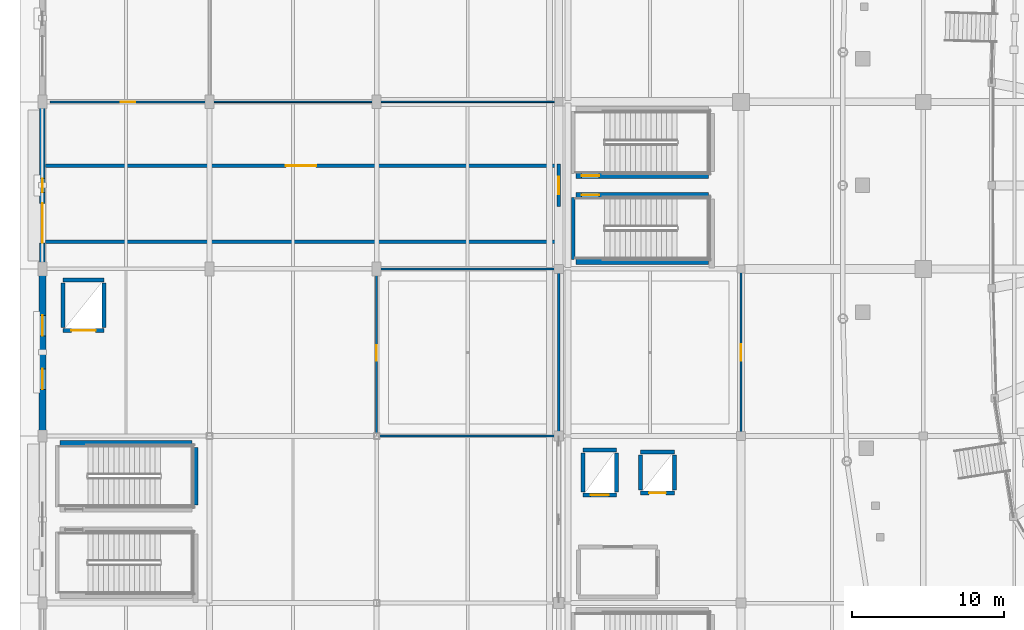
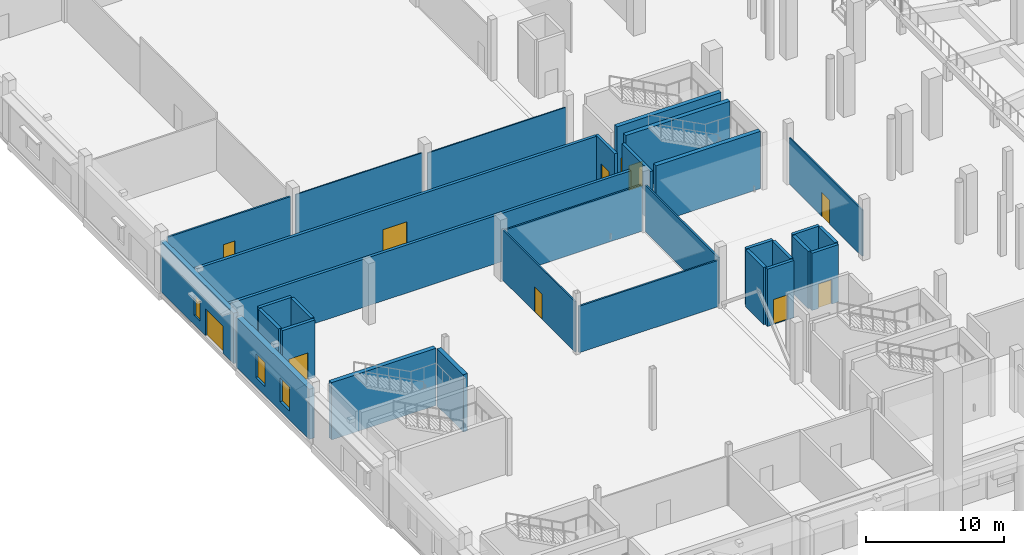
# One storey, part 57 of 120: 31 walls, 11 doors, 3 windows, 14 openings.
"""IFC4 building model written with IfcOpenShell, lengths in metres."""

from ifc_helpers import new_model, si_unit, direction, frame, frame_2d, origin, place, context, subcontext, project, spatial, rectangle, extrude, material, layer, layer_set, type_object, element, fill, save


model = new_model("IFC4")

# Units and contexts
model_context = context("Model", 3, precision=1e-05, world=origin(), true_north=direction((0.0, 1.0)))
body_context = subcontext(model_context, "Body", "Model", "MODEL_VIEW")
ifc_project = project(units=[si_unit("LENGTHUNIT", "METRE"), si_unit("AREAUNIT", "SQUARE_METRE"), si_unit("VOLUMEUNIT", "CUBIC_METRE"), si_unit("PLANEANGLEUNIT", "RADIAN"), si_unit("MASSUNIT", "GRAM", prefix="KILO")], contexts=[model_context])

# Site, building, storey
site_placement = place(None, origin())
site = spatial("IfcSite", under=ifc_project, at=site_placement, CompositionType="ELEMENT")
building_placement = place(site_placement, origin())
building = spatial("IfcBuilding", under=site, at=building_placement, Name="Luwafu Chhajja Arena", CompositionType="ELEMENT")
storey_placement = place(building_placement, origin())
storey = spatial("IfcBuildingStorey", under=building, at=storey_placement, Name="L00", CompositionType="ELEMENT", Elevation=0.0)

# Wall
ifc_material_1 = material(Name="Concrete blockwork masonry", Category="masonry")
ifc_layer_1 = layer(ifc_material_1, 0.239990234375, Name="Concrete blockwork masonry")
ifc_layer_set_1 = layer_set([ifc_layer_1], Name="Concrete blockwork masonry")
wall_type_1 = type_object("IfcWallType", Name="Compartment Masonry Partition 240", PredefinedType="PARTITIONING", material=ifc_layer_set_1)
wall_1_placement = place(storey_placement, frame((0.199951171875, 45.800048828125, 0.0), z_axis=(0.0, 0.0, 1.0), x_axis=(1.0, 0.0, 0.0)))
element("IfcWall", 1, at=wall_1_placement, inside=storey, type_object=wall_type_1, Name="L00 Protected Exit Passageway EI 120 Wall WXP-C5-S", PredefinedType="PARTITIONING", context=body_context, shape_type="SweptSolid", body=[
    extrude(rectangle(XDim=33.650146484375, YDim=0.239990234375, at=frame_2d((16.8251953125, 0.0))), origin(), (0.0, 0.0, 1.0), 4.25),
])

# Wall, opening, door
wall_2_placement = place(storey_placement, frame((0.199951171875, 50.800048828125, 0.0), z_axis=(0.0, 0.0, 1.0), x_axis=(1.0, 0.0, 0.0)))
wall_2 = element("IfcWall", 2, at=wall_2_placement, inside=storey, type_object=wall_type_1, Name="L00 Protected Exit Passageway EI 120 Wall WXP-C5-N", PredefinedType="PARTITIONING", context=body_context, shape_type="SweptSolid", body=[
    extrude(rectangle(XDim=33.650146484375, YDim=0.239990234375, at=frame_2d((16.8251953125, 0.0))), origin(), (0.0, 0.0, 1.0), 4.25),
])
opening_1_placement = place(wall_2_placement, frame((15.824951171875, 0.0, 0.0)))
opening_1 = element("IfcOpeningElement", 3, at=opening_1_placement, cuts=wall_2, Name="Opening DR-08", PredefinedType="OPENING", context=body_context, shape_type="SweptSolid", body=[
    extrude(rectangle(XDim=2.0, YDim=2.25, at=frame_2d((1.0, 1.125))), frame((0.0, 0.1298828125, 0.0), z_axis=(0.0, -1.0, 0.0), x_axis=(1.0, 0.0, 0.0)), (0.0, 0.0, 1.0), 0.260009765625),
])
ifc_material_2 = material(Name="Fire-rated hardwood double leaf", Category="wood")
door_type_1 = type_object("IfcDoorType", Name="DR-08", OperationType="DOUBLE_DOOR_SINGLE_SWING", PredefinedType="DOOR", material=ifc_material_2)
door_1_placement = place(opening_1_placement, origin())
door_1 = element("IfcDoor", 4, at=door_1_placement, inside=storey, type_object=door_type_1, Name="L00 Protected Exit Passageway Fire Door L00-D066", OperationType="DOUBLE_DOOR_SINGLE_SWING", OverallHeight=2.25, OverallWidth=2.0, PredefinedType="DOOR", context=body_context, shape_type="SweptSolid", body=[
    extrude(rectangle(XDim=2.0, YDim=2.25, at=frame_2d((1.0, 1.125))), frame((0.0, 0.02490234375, 0.0), z_axis=(0.0, -1.0, 0.0), x_axis=(1.0, 0.0, 0.0)), (0.0, 0.0, 1.0), 0.050048828125),
])
fill(opening_1, door_1)

wall_3_placement = place(storey_placement, frame((34.0, 48.10009765625, 0.0), z_axis=(0.0, 0.0, 1.0), x_axis=(0.0, 1.0, 0.0)))
wall_3 = element("IfcWall", 5, at=wall_3_placement, inside=storey, type_object=wall_type_1, Name="L00 Protected Exit Corridor Mouth Wall WXP-M-C5", PredefinedType="PARTITIONING", context=body_context, shape_type="SweptSolid", body=[
    extrude(rectangle(XDim=2.7998046875, YDim=0.239990234375, at=frame_2d((1.39990234375, 0.0))), origin(), (0.0, 0.0, 1.0), 4.25),
])
opening_2_placement = place(wall_3_placement, frame((0.824951171875, 0.0, 0.0)))
opening_2 = element("IfcOpeningElement", 6, at=opening_2_placement, cuts=wall_3, Name="Opening DR-06", PredefinedType="OPENING", context=body_context, shape_type="SweptSolid", body=[
    extrude(rectangle(XDim=1.14990234375, YDim=2.199951171875, at=frame_2d((0.574951171875, 1.10009765625))), frame((0.0, 0.1298828125, 0.0), z_axis=(0.0, -1.0, 0.0), x_axis=(1.0, 0.0, 0.0)), (0.0, 0.0, 1.0), 0.260009765625),
])
ifc_material_3 = material(Name="Fire-rated hardwood and steel core", Category="steel")
door_type_2 = type_object("IfcDoorType", Name="DR-06", OperationType="NOTDEFINED", PredefinedType="DOOR", material=ifc_material_3)
door_2_placement = place(opening_2_placement, origin())
door_2 = element("IfcDoor", 7, at=door_2_placement, inside=storey, type_object=door_type_2, Name="L00 Protected Exit Corridor Fire Door L00-D077", OperationType="SINGLE_SWING_LEFT", OverallHeight=2.199951171875, OverallWidth=1.14990234375, PredefinedType="DOOR", context=body_context, shape_type="SweptSolid", body=[
    extrude(rectangle(XDim=1.14990234375, YDim=2.199951171875, at=frame_2d((0.574951171875, 1.10009765625))), frame((0.0, 0.02490234375, 0.0), z_axis=(0.0, -1.0, 0.0), x_axis=(1.0, 0.0, 0.0)), (0.0, 0.0, 1.0), 0.050048828125),
])
fill(opening_2, door_2)

ifc_material_4 = material(Name="Lightweight blockwork partition", Category="masonry")
ifc_layer_2 = layer(ifc_material_4, 0.139892578125, Name="Lightweight blockwork partition")
ifc_layer_set_2 = layer_set([ifc_layer_2], Name="Lightweight blockwork partition")
wall_type_2 = type_object("IfcWallType", Name="Concourse Kiosk Partition 140", PredefinedType="PARTITIONING", material=ifc_layer_set_2)
wall_4_placement = place(storey_placement, frame((0.47998046875, 55.0, 0.0), z_axis=(0.0, 0.0, 1.0), x_axis=(1.0, 0.0, 0.0)))
wall_4 = element("IfcWall", 8, at=wall_4_placement, inside=storey, type_object=wall_type_2, Name="L00 Internal Partition 0145", PredefinedType="PARTITIONING", context=body_context, shape_type="SweptSolid", body=[
    extrude(rectangle(XDim=10.300048828125, YDim=0.139892578125, at=frame_2d((5.14990234375, 0.0))), origin(), (0.0, 0.0, 1.0), 4.437744140625),
])
opening_3_placement = place(wall_4_placement, frame((4.669921875, 0.0, 0.0)))
opening_3 = element("IfcOpeningElement", 9, at=opening_3_placement, cuts=wall_4, Name="Opening DR-22", PredefinedType="OPENING", context=body_context, shape_type="SweptSolid", body=[
    extrude(rectangle(XDim=0.9599609375, YDim=2.14990234375, at=frame_2d((0.47998046875, 1.074951171875))), frame((0.0, 0.079833984375, 0.0), z_axis=(0.0, -1.0, 0.0), x_axis=(1.0, 0.0, 0.0)), (0.0, 0.0, 1.0), 0.159912109375),
])
ifc_material_5 = material(Name="Hardwood flush office door", Category="wood")
door_type_3 = type_object("IfcDoorType", Name="DR-22", OperationType="NOTDEFINED", PredefinedType="DOOR", material=ifc_material_5)
door_3_placement = place(opening_3_placement, origin())
door_3 = element("IfcDoor", 10, at=door_3_placement, inside=storey, type_object=door_type_3, Name="L00 Interior Door L00-D030", OperationType="SINGLE_SWING_LEFT", OverallHeight=2.14990234375, OverallWidth=0.9599609375, PredefinedType="DOOR", context=body_context, shape_type="SweptSolid", body=[
    extrude(rectangle(XDim=0.9599609375, YDim=2.14990234375, at=frame_2d((0.47998046875, 1.074951171875))), frame((0.0, 0.02490234375, 0.0), z_axis=(0.0, -1.0, 0.0), x_axis=(1.0, 0.0, 0.0)), (0.0, 0.0, 1.0), 0.050048828125),
])
fill(opening_3, door_3)

# Walls
wall_5_placement = place(storey_placement, frame((22.159912109375, 33.0, 0.0), z_axis=(0.0, 0.0, 1.0), x_axis=(1.0, 0.0, 0.0)))
element("IfcWall", 11, at=wall_5_placement, inside=storey, type_object=wall_type_2, Name="L00 Internal Partition 0154", PredefinedType="PARTITIONING", context=body_context, shape_type="SweptSolid", body=[
    extrude(rectangle(XDim=11.6201171875, YDim=0.139892578125, at=frame_2d((5.81005859375, 0.0))), origin(), (0.0, 0.0, 1.0), 4.10009765625),
])
wall_6_placement = place(storey_placement, frame((22.219970703125, 44.0, 0.0), z_axis=(0.0, 0.0, 1.0), x_axis=(1.0, 0.0, 0.0)))
element("IfcWall", 12, at=wall_6_placement, inside=storey, type_object=wall_type_2, Name="L00 Internal Partition 0155", PredefinedType="PARTITIONING", context=body_context, shape_type="SweptSolid", body=[
    extrude(rectangle(XDim=11.56005859375, YDim=0.139892578125, at=frame_2d((5.780029296875, 0.0))), origin(), (0.0, 0.0, 1.0), 4.10009765625),
])
wall_7_placement = place(storey_placement, frame((34.0, 33.219970703125, 0.0), z_axis=(0.0, 0.0, 1.0), x_axis=(0.0, 1.0, 0.0)))
element("IfcWall", 13, at=wall_7_placement, inside=storey, type_object=wall_type_2, Name="L00 Internal Partition 0201", PredefinedType="PARTITIONING", context=body_context, shape_type="SweptSolid", body=[
    extrude(rectangle(XDim=10.56005859375, YDim=0.139892578125, at=frame_2d((5.280029296875, 0.0))), origin(), (0.0, 0.0, 1.0), 4.10009765625),
])
ifc_material_6 = material(Name="Gypsum plasterboard partition")
ifc_layer_3 = layer(ifc_material_6, 0.10009765625, Name="Gypsum plasterboard partition")
ifc_layer_set_3 = layer_set([ifc_layer_3], Name="Gypsum plasterboard partition")
wall_type_3 = type_object("IfcWallType", Name="Drywall Lining Partition 100", PredefinedType="PARTITIONING", material=ifc_layer_set_3)
wall_8_placement = place(storey_placement, frame((11.219970703125, 55.0, 0.0), z_axis=(0.0, 0.0, 1.0), x_axis=(1.0, 0.0, 0.0)))
element("IfcWall", 14, at=wall_8_placement, inside=storey, type_object=wall_type_3, Name="L00 Internal Partition 0142", PredefinedType="PARTITIONING", context=body_context, shape_type="SweptSolid", body=[
    extrude(rectangle(XDim=10.56005859375, YDim=0.10009765625, at=frame_2d((5.280029296875, 0.0))), origin(), (0.0, 0.0, 1.0), 4.437744140625),
])
wall_9_placement = place(storey_placement, frame((22.219970703125, 55.0, 0.0), z_axis=(0.0, 0.0, 1.0), x_axis=(1.0, 0.0, 0.0)))
element("IfcWall", 15, at=wall_9_placement, inside=storey, type_object=wall_type_3, Name="L00 Internal Partition 0144", PredefinedType="PARTITIONING", context=body_context, shape_type="SweptSolid", body=[
    extrude(rectangle(XDim=11.56005859375, YDim=0.10009765625, at=frame_2d((5.780029296875, 0.0))), origin(), (0.0, 0.0, 1.0), 4.25),
])

# Wall, opening, door
ifc_material_7 = material(Name="Acoustic metal-stud gypsum board")
ifc_layer_4 = layer(ifc_material_7, 0.1201171875, Name="Acoustic metal-stud gypsum board")
ifc_layer_set_4 = layer_set([ifc_layer_4], Name="Acoustic metal-stud gypsum board")
wall_type_4 = type_object("IfcWallType", Name="Internal Room Partition 120", PredefinedType="PARTITIONING", material=ifc_layer_set_4)
wall_10_placement = place(storey_placement, frame((22.0, 33.159912109375, 0.0), z_axis=(0.0, 0.0, 1.0), x_axis=(0.0, 1.0, 0.0)))
wall_10 = element("IfcWall", 16, at=wall_10_placement, inside=storey, type_object=wall_type_4, Name="L00 Internal Partition 0150", PredefinedType="PARTITIONING", context=body_context, shape_type="SweptSolid", body=[
    extrude(rectangle(XDim=10.6201171875, YDim=0.1201171875, at=frame_2d((5.31005859375, 0.0))), origin(), (0.0, 0.0, 1.0), 4.437744140625),
])
opening_4_placement = place(wall_10_placement, frame((4.7900390625, 0.0, 0.0)))
opening_4 = element("IfcOpeningElement", 17, at=opening_4_placement, cuts=wall_10, Name="Opening DR-24", PredefinedType="OPENING", context=body_context, shape_type="SweptSolid", body=[
    extrude(rectangle(XDim=1.0400390625, YDim=2.199951171875, at=frame_2d((0.52001953125, 1.10009765625))), frame((0.0, 0.070068359375, 0.0), z_axis=(0.0, -1.0, 0.0), x_axis=(1.0, 0.0, 0.0)), (0.0, 0.0, 1.0), 0.14013671875),
])
ifc_material_8 = material(Name="Hardwood flush classroom door", Category="wood")
door_type_4 = type_object("IfcDoorType", Name="DR-24", OperationType="NOTDEFINED", PredefinedType="DOOR", material=ifc_material_8)
door_4_placement = place(opening_4_placement, origin())
door_4 = element("IfcDoor", 18, at=door_4_placement, inside=storey, type_object=door_type_4, Name="L00 Interior Door L00-D033", OperationType="SINGLE_SWING_RIGHT", OverallHeight=2.199951171875, OverallWidth=1.0400390625, PredefinedType="DOOR", context=body_context, shape_type="SweptSolid", body=[
    extrude(rectangle(XDim=1.0400390625, YDim=2.199951171875, at=frame_2d((0.52001953125, 1.10009765625))), frame((0.0, 0.02490234375, 0.0), z_axis=(0.0, -1.0, 0.0), x_axis=(1.0, 0.0, 0.0)), (0.0, 0.0, 1.0), 0.050048828125),
])
fill(opening_4, door_4)

wall_11_placement = place(storey_placement, frame((46.0, 33.219970703125, 0.0), z_axis=(0.0, 0.0, 1.0), x_axis=(0.0, 1.0, 0.0)))
wall_11 = element("IfcWall", 19, at=wall_11_placement, inside=storey, type_object=wall_type_4, Name="L00 Internal Partition 0157", PredefinedType="PARTITIONING", context=body_context, shape_type="SweptSolid", body=[
    extrude(rectangle(XDim=10.56005859375, YDim=0.1201171875, at=frame_2d((5.280029296875, 0.0))), origin(), (0.0, 0.0, 1.0), 4.10009765625),
])
opening_5_placement = place(wall_11_placement, frame((4.72998046875, 0.0, 0.0)))
opening_5 = element("IfcOpeningElement", 20, at=opening_5_placement, cuts=wall_11, Name="Opening DR-20", PredefinedType="OPENING", context=body_context, shape_type="SweptSolid", body=[
    extrude(rectangle(XDim=1.10009765625, YDim=2.10009765625, at=frame_2d((0.550048828125, 1.050048828125))), frame((0.0, 0.070068359375, 0.0), z_axis=(0.0, -1.0, 0.0), x_axis=(1.0, 0.0, 0.0)), (0.0, 0.0, 1.0), 0.14013671875),
])
ifc_material_9 = material(Name="Hygienic laminate single leaf")
door_type_5 = type_object("IfcDoorType", Name="DR-20", OperationType="NOTDEFINED", PredefinedType="DOOR", material=ifc_material_9)
door_5_placement = place(opening_5_placement, origin())
door_5 = element("IfcDoor", 21, at=door_5_placement, inside=storey, type_object=door_type_5, Name="L00 Interior Door L00-D038", OperationType="SINGLE_SWING_RIGHT", OverallHeight=2.10009765625, OverallWidth=1.10009765625, PredefinedType="DOOR", context=body_context, shape_type="SweptSolid", body=[
    extrude(rectangle(XDim=1.10009765625, YDim=2.10009765625, at=frame_2d((0.550048828125, 1.050048828125))), frame((0.0, 0.02490234375, 0.0), z_axis=(0.0, -1.0, 0.0), x_axis=(1.0, 0.0, 0.0)), (0.0, 0.0, 1.0), 0.050048828125),
])
fill(opening_5, door_5)

ifc_material_10 = material(Name="Concrete C35/45", Category="concrete")
ifc_layer_5 = layer(ifc_material_10, 0.260009765625, Name="Concrete C35/45")
ifc_layer_set_5 = layer_set([ifc_layer_5], Name="Concrete C35/45")
wall_type_5 = type_object("IfcWallType", Name="Lift and Riser Shaft Wall 260", PredefinedType="SOLIDWALL", material=ifc_layer_set_5)
wall_12_placement = place(storey_placement, frame((35.590087890625, 29.114990234375, 0.0), z_axis=(0.0, 0.0, 1.0), x_axis=(1.0, 0.0, 0.0)))
wall_12 = element("IfcWall", 22, at=wall_12_placement, inside=storey, type_object=wall_type_5, Name="L00 Lift LF-01 Shaft Wall S", PredefinedType="SOLIDWALL", context=body_context, shape_type="SweptSolid", body=[
    extrude(rectangle(XDim=2.219970703125, YDim=0.260009765625, at=frame_2d((1.10986328125, 0.0))), origin(), (0.0, 0.0, 1.0), 5.06005859375),
])
opening_6_placement = place(wall_12_placement, frame((0.510009765625, 0.0, 0.0)))
opening_6 = element("IfcOpeningElement", 23, at=opening_6_placement, cuts=wall_12, Name="Opening LD-02", PredefinedType="OPENING", context=body_context, shape_type="SweptSolid", body=[
    extrude(rectangle(XDim=1.199951171875, YDim=2.199951171875, at=frame_2d((0.60009765625, 1.10009765625))), frame((0.0, 0.139892578125, 0.0), z_axis=(0.0, -1.0, 0.0), x_axis=(1.0, 0.0, 0.0)), (0.0, 0.0, 1.0), 0.280029296875),
])
ifc_material_11 = material(Name="Brushed stainless steel sliding leaves", Category="steel")
door_type_6 = type_object("IfcDoorType", Name="LD-02", OperationType="SLIDING_TO_LEFT", PredefinedType="DOOR", material=ifc_material_11)
door_6_placement = place(opening_6_placement, origin())
door_6 = element("IfcDoor", 24, at=door_6_placement, inside=storey, type_object=door_type_6, Name="L00 Lift LF-01 Landing Door L00-LD01", OperationType="SLIDING_TO_LEFT", OverallHeight=2.199951171875, OverallWidth=1.199951171875, PredefinedType="DOOR", context=body_context, shape_type="SweptSolid", body=[
    extrude(rectangle(XDim=1.199951171875, YDim=2.199951171875, at=frame_2d((0.60009765625, 1.10009765625))), frame((0.0, 0.02490234375, 0.0), z_axis=(0.0, -1.0, 0.0), x_axis=(1.0, 0.0, 0.0)), (0.0, 0.0, 1.0), 0.050048828125),
])
fill(opening_6, door_6)

# Walls
wall_13_placement = place(storey_placement, frame((35.590087890625, 32.0849609375, 0.0), z_axis=(0.0, 0.0, 1.0), x_axis=(1.0, 0.0, 0.0)))
element("IfcWall", 25, at=wall_13_placement, inside=storey, type_object=wall_type_5, Name="L00 Lift LF-01 Shaft Wall N", PredefinedType="SOLIDWALL", context=body_context, shape_type="SweptSolid", body=[
    extrude(rectangle(XDim=2.219970703125, YDim=0.260009765625, at=frame_2d((1.10986328125, 0.0))), origin(), (0.0, 0.0, 1.0), 5.06005859375),
])
for number, where, z_axis, x_axis, name in (
    (26, (35.590087890625, 29.31494140625, 0.0), (0.0, 0.0, 1.0), (0.0, 1.0, 0.0), "L00 Lift LF-01 Shaft Wall W"),
    (27, (37.81005859375, 29.31494140625, 0.0), (0.0, 0.0, 1.0), (0.0, 1.0, 0.0), "L00 Lift LF-01 Shaft Wall E"),
):
    element("IfcWall", number, at=place(storey_placement, frame(where, z_axis=z_axis, x_axis=x_axis)), inside=storey, type_object=wall_type_5, Name=name, PredefinedType="SOLIDWALL", context=body_context, shape_type="SweptSolid", body=[
        extrude(rectangle(XDim=2.570068359375, YDim=0.260009765625, at=frame_2d((1.28515625, 0.0))), origin(), (0.0, 0.0, 1.0), 5.06005859375),
    ])

# Wall, opening, door
wall_14_placement = place(storey_placement, frame((39.389892578125, 29.239990234375, 0.0), z_axis=(0.0, 0.0, 1.0), x_axis=(1.0, 0.0, 0.0)))
wall_14 = element("IfcWall", 28, at=wall_14_placement, inside=storey, type_object=wall_type_5, Name="L00 Lift LF-05 Shaft Wall S", PredefinedType="SOLIDWALL", context=body_context, shape_type="SweptSolid", body=[
    extrude(rectangle(XDim=2.22021484375, YDim=0.260009765625, at=frame_2d((1.110107421875, 0.0))), origin(), (0.0, 0.0, 1.0), 5.06005859375),
])
opening_7_placement = place(wall_14_placement, frame((0.56005859375, 0.0, 0.0)))
opening_7 = element("IfcOpeningElement", 29, at=opening_7_placement, cuts=wall_14, Name="Opening LD-01", PredefinedType="OPENING", context=body_context, shape_type="SweptSolid", body=[
    extrude(rectangle(XDim=1.10009765625, YDim=2.14990234375, at=frame_2d((0.550048828125, 1.074951171875))), frame((0.0, 0.139892578125, 0.0), z_axis=(0.0, -1.0, 0.0), x_axis=(1.0, 0.0, 0.0)), (0.0, 0.0, 1.0), 0.280029296875),
])
door_type_7 = type_object("IfcDoorType", Name="LD-01", OperationType="SLIDING_TO_LEFT", PredefinedType="DOOR", material=ifc_material_11)
door_7_placement = place(opening_7_placement, origin())
door_7 = element("IfcDoor", 30, at=door_7_placement, inside=storey, type_object=door_type_7, Name="L00 Lift LF-05 Landing Door L00-LD02", OperationType="SLIDING_TO_LEFT", OverallHeight=2.14990234375, OverallWidth=1.10009765625, PredefinedType="DOOR", context=body_context, shape_type="SweptSolid", body=[
    extrude(rectangle(XDim=1.10009765625, YDim=2.14990234375, at=frame_2d((0.550048828125, 1.074951171875))), frame((0.0, 0.02490234375, 0.0), z_axis=(0.0, -1.0, 0.0), x_axis=(1.0, 0.0, 0.0)), (0.0, 0.0, 1.0), 0.050048828125),
])
fill(opening_7, door_7)

# Walls
wall_15_placement = place(storey_placement, frame((39.389892578125, 31.9599609375, 0.0), z_axis=(0.0, 0.0, 1.0), x_axis=(1.0, 0.0, 0.0)))
element("IfcWall", 31, at=wall_15_placement, inside=storey, type_object=wall_type_5, Name="L00 Lift LF-05 Shaft Wall N", PredefinedType="SOLIDWALL", context=body_context, shape_type="SweptSolid", body=[
    extrude(rectangle(XDim=2.22021484375, YDim=0.260009765625, at=frame_2d((1.110107421875, 0.0))), origin(), (0.0, 0.0, 1.0), 5.06005859375),
])
for number, where, z_axis, x_axis, name in (
    (32, (39.389892578125, 29.43994140625, 0.0), (0.0, 0.0, 1.0), (0.0, 1.0, 0.0), "L00 Lift LF-05 Shaft Wall W"),
    (33, (41.610107421875, 29.43994140625, 0.0), (0.0, 0.0, 1.0), (0.0, 1.0, 0.0), "L00 Lift LF-05 Shaft Wall E"),
):
    element("IfcWall", number, at=place(storey_placement, frame(where, z_axis=z_axis, x_axis=x_axis)), inside=storey, type_object=wall_type_5, Name=name, PredefinedType="SOLIDWALL", context=body_context, shape_type="SweptSolid", body=[
        extrude(rectangle(XDim=2.320068359375, YDim=0.260009765625, at=frame_2d((1.16015625, 0.0))), origin(), (0.0, 0.0, 1.0), 5.06005859375),
    ])

# Wall, opening, door
wall_16_placement = place(storey_placement, frame((1.340087890625, 39.93994140625, 0.0), z_axis=(0.0, 0.0, 1.0), x_axis=(1.0, 0.0, 0.0)))
wall_16 = element("IfcWall", 34, at=wall_16_placement, inside=storey, type_object=wall_type_5, Name="L00 Lift LF-11 Shaft Wall S", PredefinedType="SOLIDWALL", context=body_context, shape_type="SweptSolid", body=[
    extrude(rectangle(XDim=2.719970703125, YDim=0.260009765625, at=frame_2d((1.35986328125, 0.0))), origin(), (0.0, 0.0, 1.0), 5.06005859375),
])
opening_8_placement = place(wall_16_placement, frame((0.56005859375, 0.0, 0.0)))
opening_8 = element("IfcOpeningElement", 35, at=opening_8_placement, cuts=wall_16, Name="Opening LD-03", PredefinedType="OPENING", context=body_context, shape_type="SweptSolid", body=[
    extrude(rectangle(XDim=1.60009765625, YDim=2.35009765625, at=frame_2d((0.800048828125, 1.175048828125))), frame((0.0, 0.139892578125, 0.0), z_axis=(0.0, -1.0, 0.0), x_axis=(1.0, 0.0, 0.0)), (0.0, 0.0, 1.0), 0.280029296875),
])
door_type_8 = type_object("IfcDoorType", Name="LD-03", OperationType="DOUBLE_DOOR_SLIDING", PredefinedType="DOOR", material=ifc_material_11)
door_8_placement = place(opening_8_placement, origin())
door_8 = element("IfcDoor", 36, at=door_8_placement, inside=storey, type_object=door_type_8, Name="L00 Lift LF-11 Landing Door L00-LD11", OperationType="DOUBLE_DOOR_SLIDING", OverallHeight=2.35009765625, OverallWidth=1.60009765625, PredefinedType="DOOR", context=body_context, shape_type="SweptSolid", body=[
    extrude(rectangle(XDim=1.60009765625, YDim=2.35009765625, at=frame_2d((0.800048828125, 1.175048828125))), frame((0.0, 0.02490234375, 0.0), z_axis=(0.0, -1.0, 0.0), x_axis=(1.0, 0.0, 0.0)), (0.0, 0.0, 1.0), 0.050048828125),
])
fill(opening_8, door_8)

# Walls
wall_17_placement = place(storey_placement, frame((1.340087890625, 43.260009765625, 0.0), z_axis=(0.0, 0.0, 1.0), x_axis=(1.0, 0.0, 0.0)))
element("IfcWall", 37, at=wall_17_placement, inside=storey, type_object=wall_type_5, Name="L00 Lift LF-11 Shaft Wall N", PredefinedType="SOLIDWALL", context=body_context, shape_type="SweptSolid", body=[
    extrude(rectangle(XDim=2.719970703125, YDim=0.260009765625, at=frame_2d((1.35986328125, 0.0))), origin(), (0.0, 0.0, 1.0), 5.06005859375),
])
for number, where, z_axis, x_axis, name in (
    (38, (1.340087890625, 40.139892578125, 0.0), (0.0, 0.0, 1.0), (0.0, 1.0, 0.0), "L00 Lift LF-11 Shaft Wall W"),
    (39, (4.06005859375, 40.139892578125, 0.0), (0.0, 0.0, 1.0), (0.0, 1.0, 0.0), "L00 Lift LF-11 Shaft Wall E"),
):
    element("IfcWall", number, at=place(storey_placement, frame(where, z_axis=z_axis, x_axis=x_axis)), inside=storey, type_object=wall_type_5, Name=name, PredefinedType="SOLIDWALL", context=body_context, shape_type="SweptSolid", body=[
        extrude(rectangle(XDim=2.920166015625, YDim=0.260009765625, at=frame_2d((1.4599609375, 0.0))), origin(), (0.0, 0.0, 1.0), 5.06005859375),
    ])
ifc_material_12 = material(Name="Concrete C40/50", Category="concrete")
ifc_layer_6 = layer(ifc_material_12, 0.35009765625, Name="Concrete C40/50")
ifc_layer_set_6 = layer_set([ifc_layer_6], Name="Concrete C40/50")
wall_type_6 = type_object("IfcWallType", Name="RC Core Shear Wall 350", PredefinedType="SOLIDWALL", material=ifc_layer_set_6)
wall_18_placement = place(storey_placement, frame((35.14990234375, 44.47802734375, 0.0), z_axis=(0.0, 0.0, 1.0), x_axis=(1.0, 0.0, 0.0)))
element("IfcWall", 40, at=wall_18_placement, inside=storey, type_object=wall_type_6, Name="L00 Stair ST-09 Core Shear Wall S", PredefinedType="SOLIDWALL", context=body_context, shape_type="SweptSolid", body=[
    extrude(rectangle(XDim=8.7001953125, YDim=0.35009765625, at=frame_2d((4.35009765625, 0.0))), origin(), (0.0, 0.0, 1.0), 5.06005859375),
])

# Wall, opening, door
wall_19_placement = place(storey_placement, frame((35.14990234375, 48.862060546875, 0.0), z_axis=(0.0, 0.0, 1.0), x_axis=(1.0, 0.0, 0.0)))
wall_19 = element("IfcWall", 41, at=wall_19_placement, inside=storey, type_object=wall_type_6, Name="L00 Stair ST-09 Core Shear Wall N", PredefinedType="SOLIDWALL", context=body_context, shape_type="SweptSolid", body=[
    extrude(rectangle(XDim=8.7001953125, YDim=0.35009765625, at=frame_2d((4.35009765625, 0.0))), origin(), (0.0, 0.0, 1.0), 5.06005859375),
])
opening_9_placement = place(wall_19_placement, frame((0.35009765625, 0.0, 0.0)))
opening_9 = element("IfcOpeningElement", 42, at=opening_9_placement, cuts=wall_19, Name="Opening DR-06", PredefinedType="OPENING", context=body_context, shape_type="SweptSolid", body=[
    extrude(rectangle(XDim=1.14990234375, YDim=2.199951171875, at=frame_2d((0.574951171875, 1.10009765625))), frame((0.0, 0.18505859375, 0.0), z_axis=(0.0, -1.0, 0.0), x_axis=(1.0, 0.0, 0.0)), (0.0, 0.0, 1.0), 0.3701171875),
])
door_9_placement = place(opening_9_placement, origin())
door_9 = element("IfcDoor", 43, at=door_9_placement, inside=storey, type_object=door_type_2, Name="L00 Escape Stair ST-09 Fire Door L00-D017", OperationType="SINGLE_SWING_RIGHT", OverallHeight=2.199951171875, OverallWidth=1.14990234375, PredefinedType="DOOR", context=body_context, shape_type="SweptSolid", body=[
    extrude(rectangle(XDim=1.14990234375, YDim=2.199951171875, at=frame_2d((0.574951171875, 1.10009765625))), frame((0.0, 0.02490234375, 0.0), z_axis=(0.0, -1.0, 0.0), x_axis=(1.0, 0.0, 0.0)), (0.0, 0.0, 1.0), 0.050048828125),
])
fill(opening_9, door_9)

wall_20_placement = place(storey_placement, frame((35.14990234375, 50.137939453125, 0.0), z_axis=(0.0, 0.0, 1.0), x_axis=(1.0, 0.0, 0.0)))
wall_20 = element("IfcWall", 44, at=wall_20_placement, inside=storey, type_object=wall_type_6, Name="L00 Stair ST-10 Core Shear Wall S", PredefinedType="SOLIDWALL", context=body_context, shape_type="SweptSolid", body=[
    extrude(rectangle(XDim=8.7001953125, YDim=0.35009765625, at=frame_2d((4.35009765625, 0.0))), origin(), (0.0, 0.0, 1.0), 5.06005859375),
])
opening_10_placement = place(wall_20_placement, frame((0.35009765625, 0.0, 0.0)))
opening_10 = element("IfcOpeningElement", 45, at=opening_10_placement, cuts=wall_20, Name="Opening DR-06", PredefinedType="OPENING", context=body_context, shape_type="SweptSolid", body=[
    extrude(rectangle(XDim=1.14990234375, YDim=2.199951171875, at=frame_2d((0.574951171875, 1.10009765625))), frame((0.0, 0.18505859375, 0.0), z_axis=(0.0, -1.0, 0.0), x_axis=(1.0, 0.0, 0.0)), (0.0, 0.0, 1.0), 0.3701171875),
])
door_10_placement = place(opening_10_placement, origin())
door_10 = element("IfcDoor", 46, at=door_10_placement, inside=storey, type_object=door_type_2, Name="L00 Escape Stair ST-10 Fire Door L00-D018", OperationType="SINGLE_SWING_LEFT", OverallHeight=2.199951171875, OverallWidth=1.14990234375, PredefinedType="DOOR", context=body_context, shape_type="SweptSolid", body=[
    extrude(rectangle(XDim=1.14990234375, YDim=2.199951171875, at=frame_2d((0.574951171875, 1.10009765625))), frame((0.0, 0.02490234375, 0.0), z_axis=(0.0, -1.0, 0.0), x_axis=(1.0, 0.0, 0.0)), (0.0, 0.0, 1.0), 0.050048828125),
])
fill(opening_10, door_10)

# Walls
wall_21_placement = place(storey_placement, frame((10.072021484375, 28.449951171875, 0.0), z_axis=(0.0, 0.0, 1.0), x_axis=(0.0, 1.0, 0.0)))
element("IfcWall", 47, at=wall_21_placement, inside=storey, type_object=wall_type_6, Name="L00 Stair ST-14 Core Shear Wall E", PredefinedType="SOLIDWALL", context=body_context, shape_type="SweptSolid", body=[
    extrude(rectangle(XDim=3.800048828125, YDim=0.35009765625, at=frame_2d((1.89990234375, 0.0))), origin(), (0.0, 0.0, 1.0), 5.06005859375),
])
wall_22_placement = place(storey_placement, frame((1.14990234375, 32.52197265625, 0.0), z_axis=(0.0, 0.0, 1.0), x_axis=(1.0, 0.0, 0.0)))
element("IfcWall", 48, at=wall_22_placement, inside=storey, type_object=wall_type_6, Name="L00 Stair ST-14 Core Shear Wall N", PredefinedType="SOLIDWALL", context=body_context, shape_type="SweptSolid", body=[
    extrude(rectangle(XDim=8.7001953125, YDim=0.35009765625, at=frame_2d((4.35009765625, 0.0))), origin(), (0.0, 0.0, 1.0), 5.06005859375),
])

# Wall, openings, windows
ifc_layer_7 = layer(ifc_material_12, 0.449951171875, Name="Concrete C40/50")
ifc_layer_set_7 = layer_set([ifc_layer_7], Name="Concrete C40/50")
wall_type_7 = type_object("IfcWallType", Name="RC Core Shear Wall 450", PredefinedType="SOLIDWALL", material=ifc_layer_set_7)
wall_23_placement = place(storey_placement, frame((0.0, 33.219970703125, 0.0), z_axis=(0.0, 0.0, 1.0), x_axis=(0.0, 1.0, 0.0)))
wall_23 = element("IfcWall", 49, at=wall_23_placement, inside=storey, type_object=wall_type_7, Name="L00 Exterior Wall WEX-L00-058", PredefinedType="SOLIDWALL", context=body_context, shape_type="SweptSolid", body=[
    extrude(rectangle(XDim=10.56005859375, YDim=0.449951171875, at=frame_2d((5.280029296875, 0.0))), origin(), (0.0, 0.0, 1.0), 4.4296875),
])
opening_11_placement = place(wall_23_placement, frame((2.844970703125, 0.0, 0.800048828125)))
opening_11 = element("IfcOpeningElement", 50, at=opening_11_placement, cuts=wall_23, Name="Opening WN-17", PredefinedType="OPENING", context=body_context, shape_type="SweptSolid", body=[
    extrude(rectangle(XDim=1.35009765625, YDim=2.10009765625, at=frame_2d((0.675048828125, 1.050048828125))), frame((0.0, 0.23486328125, 0.0), z_axis=(0.0, -1.0, 0.0), x_axis=(1.0, 0.0, 0.0)), (0.0, 0.0, 1.0), 0.469970703125),
])
opening_12_placement = place(wall_23_placement, frame((6.364990234375, 0.0, 0.800048828125)))
opening_12 = element("IfcOpeningElement", 51, at=opening_12_placement, cuts=wall_23, Name="Opening WN-17", PredefinedType="OPENING", context=body_context, shape_type="SweptSolid", body=[
    extrude(rectangle(XDim=1.35009765625, YDim=2.10009765625, at=frame_2d((0.675048828125, 1.050048828125))), frame((0.0, 0.23486328125, 0.0), z_axis=(0.0, -1.0, 0.0), x_axis=(1.0, 0.0, 0.0)), (0.0, 0.0, 1.0), 0.469970703125),
])
ifc_material_13 = material(Name="Solar-control laminated glass", Category="glass")
window_type_1 = type_object("IfcWindowType", Name="Exhibition Mezzanine Lancet Window 1350x2100", PartitioningType="SINGLE_PANEL", PredefinedType="WINDOW", material=ifc_material_13)
window_1_placement = place(opening_11_placement, origin())
window_1 = element("IfcWindow", 52, at=window_1_placement, inside=storey, type_object=window_type_1, Name="L00 Facade Window 258", OverallHeight=2.10009765625, OverallWidth=1.35009765625, PartitioningType="SINGLE_PANEL", PredefinedType="WINDOW", context=body_context, shape_type="SweptSolid", body=[
    extrude(rectangle(XDim=1.35009765625, YDim=2.10009765625, at=frame_2d((0.675048828125, 1.050048828125))), frame((0.0, 0.030029296875, 0.0), z_axis=(0.0, -1.0, 0.0), x_axis=(1.0, 0.0, 0.0)), (0.0, 0.0, 1.0), 0.06005859375),
])
fill(opening_11, window_1)
window_2_placement = place(opening_12_placement, origin())
window_2 = element("IfcWindow", 53, at=window_2_placement, inside=storey, type_object=window_type_1, Name="L00 Facade Window 259", OverallHeight=2.10009765625, OverallWidth=1.35009765625, PartitioningType="SINGLE_PANEL", PredefinedType="WINDOW", context=body_context, shape_type="SweptSolid", body=[
    extrude(rectangle(XDim=1.35009765625, YDim=2.10009765625, at=frame_2d((0.675048828125, 1.050048828125))), frame((0.0, 0.030029296875, 0.0), z_axis=(0.0, -1.0, 0.0), x_axis=(1.0, 0.0, 0.0)), (0.0, 0.0, 1.0), 0.06005859375),
])
fill(opening_12, window_2)

# Wall, openings, window, door
ifc_layer_8 = layer(ifc_material_10, 0.360107421875, Name="Concrete C35/45")
ifc_layer_set_8 = layer_set([ifc_layer_8], Name="Concrete C35/45")
wall_type_8 = type_object("IfcWallType", Name="Sandstone Backed Exterior Wall 360", PredefinedType="SOLIDWALL", material=ifc_layer_set_8)
wall_24_placement = place(storey_placement, frame((0.0, 44.219970703125, 0.0), z_axis=(0.0, 0.0, 1.0), x_axis=(0.0, 1.0, 0.0)))
wall_24 = element("IfcWall", 54, at=wall_24_placement, inside=storey, type_object=wall_type_8, Name="L00 Exterior Wall WEX-L00-059", PredefinedType="SOLIDWALL", context=body_context, shape_type="SweptSolid", body=[
    extrude(rectangle(XDim=10.56005859375, YDim=0.360107421875, at=frame_2d((5.280029296875, 0.0))), origin(), (0.0, 0.0, 1.0), 4.449951171875),
])
opening_13_placement = place(wall_24_placement, frame((1.49560546875, 0.0, 0.0)))
opening_13 = element("IfcOpeningElement", 55, at=opening_13_placement, cuts=wall_24, Name="Opening DR-01", PredefinedType="OPENING", context=body_context, shape_type="SweptSolid", body=[
    extrude(rectangle(XDim=2.60009765625, YDim=2.39990234375, at=frame_2d((1.300048828125, 1.199951171875))), frame((0.0, 0.18994140625, 0.0), z_axis=(0.0, -1.0, 0.0), x_axis=(1.0, 0.0, 0.0)), (0.0, 0.0, 1.0), 0.380126953125),
])
opening_14_placement = place(wall_24_placement, frame((4.830078125, 0.0, 0.800048828125)))
opening_14 = element("IfcOpeningElement", 56, at=opening_14_placement, cuts=wall_24, Name="Opening WN-16", PredefinedType="OPENING", context=body_context, shape_type="SweptSolid", body=[
    extrude(rectangle(XDim=0.89990234375, YDim=1.800048828125, at=frame_2d((0.449951171875, 0.89990234375))), frame((0.0, 0.18994140625, 0.0), z_axis=(0.0, -1.0, 0.0), x_axis=(1.0, 0.0, 0.0)), (0.0, 0.0, 1.0), 0.380126953125),
])
window_type_2 = type_object("IfcWindowType", Name="Stair Core Daylight Slot Window 900x1800", PartitioningType="SINGLE_PANEL", PredefinedType="WINDOW", material=ifc_material_13)
window_3_placement = place(opening_14_placement, origin())
window_3 = element("IfcWindow", 57, at=window_3_placement, inside=storey, type_object=window_type_2, Name="L00 Facade Window 260", OverallHeight=1.800048828125, OverallWidth=0.89990234375, PartitioningType="SINGLE_PANEL", PredefinedType="WINDOW", context=body_context, shape_type="SweptSolid", body=[
    extrude(rectangle(XDim=0.89990234375, YDim=1.800048828125, at=frame_2d((0.449951171875, 0.89990234375))), frame((0.0, 0.030029296875, 0.0), z_axis=(0.0, -1.0, 0.0), x_axis=(1.0, 0.0, 0.0)), (0.0, 0.0, 1.0), 0.06005859375),
])
fill(opening_14, window_3)
ifc_material_14 = material(Name="Anodised bronze aluminium and toughened glass", Category="aluminium")
door_type_9 = type_object("IfcDoorType", Name="DR-01", OperationType="DOUBLE_DOOR_SINGLE_SWING", PredefinedType="DOOR", material=ifc_material_14)
door_11_placement = place(opening_13_placement, origin())
door_11 = element("IfcDoor", 58, at=door_11_placement, inside=storey, type_object=door_type_9, Name="Stair Exit Discharge Door SX-03", OperationType="DOUBLE_DOOR_SINGLE_SWING", OverallHeight=2.39990234375, OverallWidth=2.60009765625, PredefinedType="DOOR", context=body_context, shape_type="SweptSolid", body=[
    extrude(rectangle(XDim=2.60009765625, YDim=2.39990234375, at=frame_2d((1.300048828125, 1.199951171875))), frame((0.0, 0.02490234375, 0.0), z_axis=(0.0, -1.0, 0.0), x_axis=(1.0, 0.0, 0.0)), (0.0, 0.0, 1.0), 0.050048828125),
])
fill(opening_13, door_11)

# Wall
ifc_layer_9 = layer(ifc_material_10, 0.22998046875, Name="Concrete C35/45")
ifc_layer_set_9 = layer_set([ifc_layer_9], Name="Concrete C35/45")
wall_type_9 = type_object("IfcWallType", Name="Stair Enclosure Wall 230", PredefinedType="SOLIDWALL", material=ifc_layer_set_9)
wall_25_placement = place(storey_placement, frame((34.9599609375, 44.6298828125, 0.0), z_axis=(0.0, 0.0, 1.0), x_axis=(0.0, 1.0, 0.0)))
element("IfcWall", 59, at=wall_25_placement, inside=storey, type_object=wall_type_9, Name="L00 Stair ST-09 Enclosure Wall W", PredefinedType="SOLIDWALL", context=body_context, shape_type="SweptSolid", body=[
    extrude(rectangle(XDim=4.080078125, YDim=0.22998046875, at=frame_2d((2.0400390625, 0.0))), origin(), (0.0, 0.0, 1.0), 4.449951171875),
])

save(model, "model.ifc")
